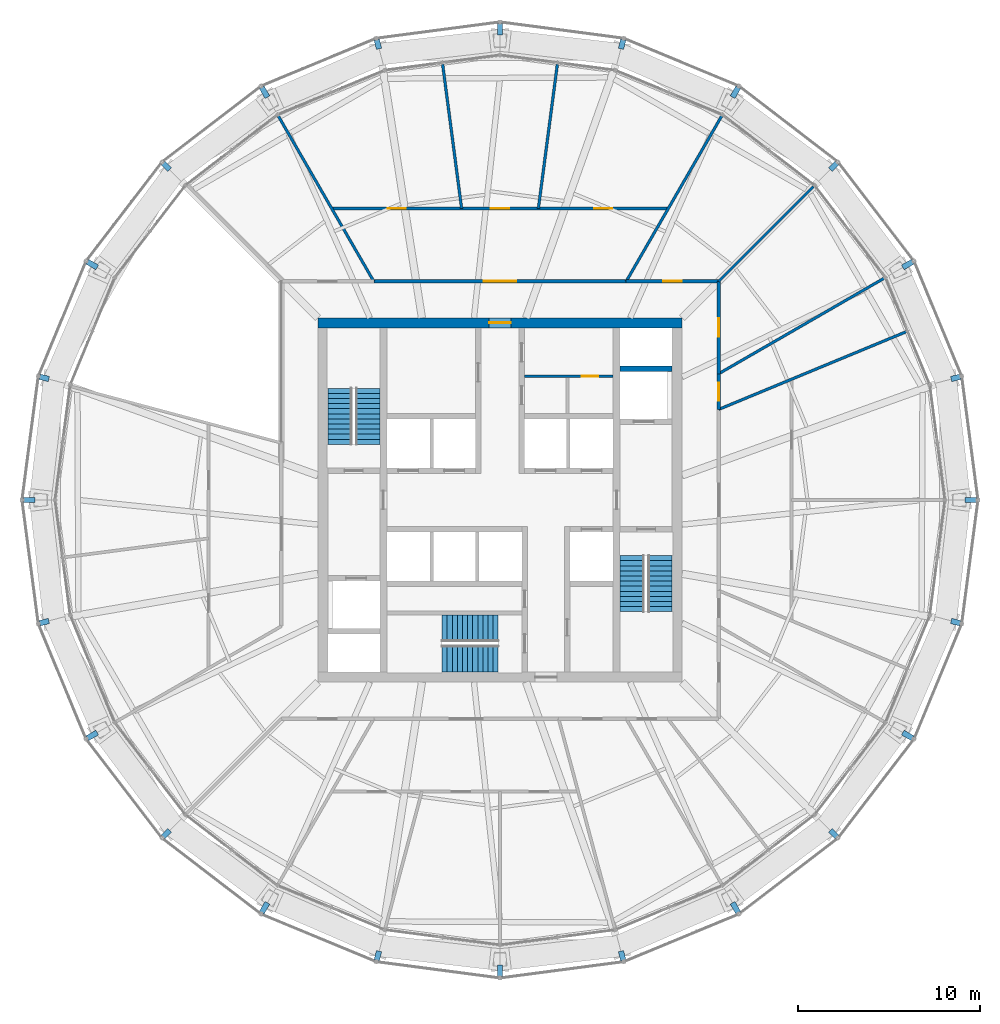
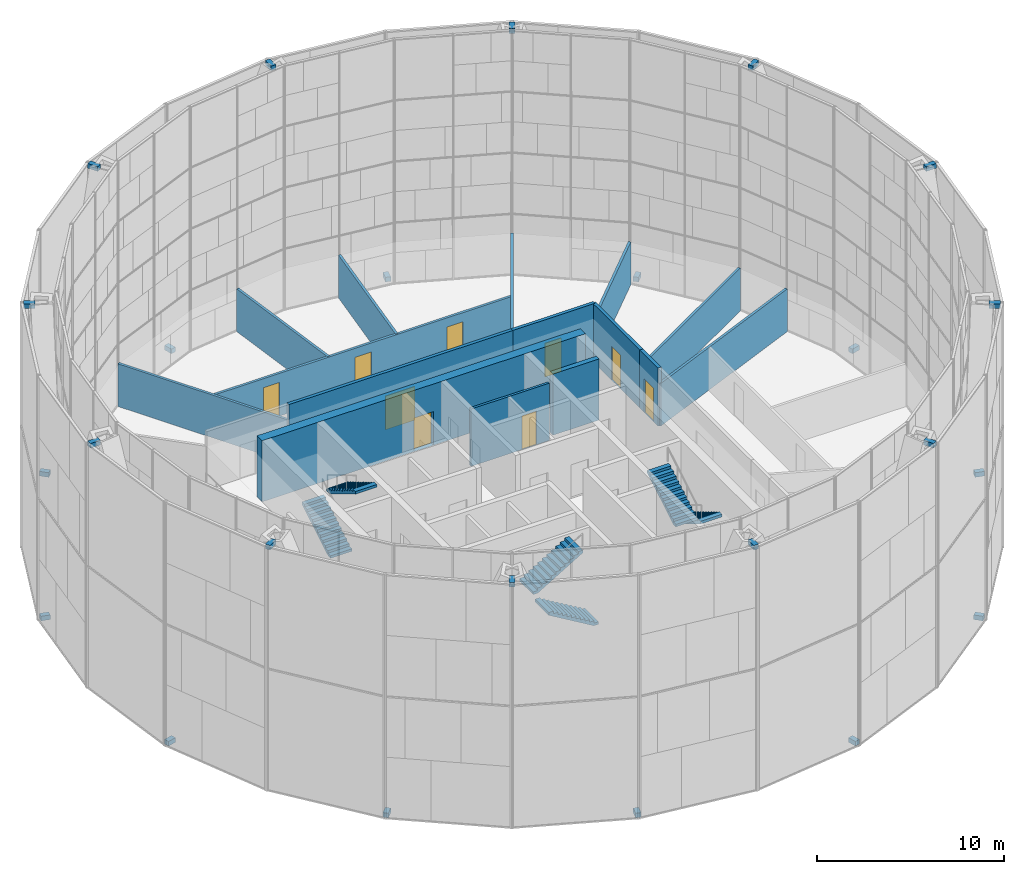
# One storey, part 27 of 28: 24 discrete accessories, 15 walls, 9 doors, 6 stair flights, 9 openings, 3 elements without a shape of their own.
"""IFC4 building model written with IfcOpenShell, lengths in metres."""

from ifc_helpers import new_model, si_unit, direction, frame, frame_2d, origin, origin_2d, place, context, subcontext, project, spatial, polyline, rectangle, outline, extrude, material, layer, layer_set, type_object, element, fill, aggregate, save


model = new_model("IFC4")

# Units and contexts
model_context = context("Model", 3, precision=1e-05, world=origin(), true_north=direction((0.0, 1.0)))
body_context = subcontext(model_context, "Body", "Model", "MODEL_VIEW")
ifc_project = project(units=[si_unit("LENGTHUNIT", "METRE"), si_unit("AREAUNIT", "SQUARE_METRE"), si_unit("VOLUMEUNIT", "CUBIC_METRE"), si_unit("PLANEANGLEUNIT", "RADIAN"), si_unit("MASSUNIT", "GRAM", prefix="KILO")], contexts=[model_context])

# Site, building, storey
site_placement = place(None, origin())
site = spatial("IfcSite", under=ifc_project, at=site_placement, CompositionType="ELEMENT")
building_placement = place(site_placement, origin())
building = spatial("IfcBuilding", under=site, at=building_placement, Name="Golbaran Civic Tower", CompositionType="ELEMENT")
storey_placement = place(building_placement, frame((0.0, 0.0, 134.0)))
storey = spatial("IfcBuildingStorey", under=building, at=storey_placement, Name="L32", CompositionType="ELEMENT", Elevation=134.0)

# Wall, opening, door
ifc_material_1 = material(Name="Concrete block", Category="concrete")
ifc_layer_1 = layer(ifc_material_1, 0.14990234375, Name="Concrete block")
ifc_layer_set_1 = layer_set([ifc_layer_1], Name="Concrete block")
wall_type_1 = type_object("IfcWallType", Name="BLOCKWORK PARTITION 150", PredefinedType="PARTITIONING", material=ifc_layer_set_1)
wall_1_placement = place(storey_placement, frame((1.35009765625, 6.800048828125, 0.0), z_axis=(0.0, 0.0, 1.0), x_axis=(1.0, 0.0, 0.0)))
wall_1 = element("IfcWall", 1, at=wall_1_placement, inside=storey, type_object=wall_type_1, Name="Toilet block partition TN1 L32", PredefinedType="PARTITIONING", context=body_context, shape_type="SweptSolid", body=[
    extrude(rectangle(XDim=4.849853515625, YDim=0.14990234375, at=frame_2d((2.4248046875, 0.0))), origin(), (0.0, 0.0, 1.0), 3.75),
])
opening_1_placement = place(wall_1_placement, frame((3.14990234375, 0.0, 0.0)))
opening_1 = element("IfcOpeningElement", 2, at=opening_1_placement, cuts=wall_1, Name="Opening L32.CLN", PredefinedType="OPENING", context=body_context, shape_type="SweptSolid", body=[
    extrude(rectangle(XDim=0.89990234375, YDim=2.199951171875, at=frame_2d((0.449951171875, 1.10009765625))), frame((0.0, 0.0849609375, 0.0), z_axis=(0.0, -1.0, 0.0), x_axis=(1.0, 0.0, 0.0)), (0.0, 0.0, 1.0), 0.169921875),
])
ifc_material_2 = material(Name="Timber door set in steel frame", Category="steel")
door_type_1 = type_object("IfcDoorType", Name="RISER DOOR 900x2200", OperationType="SINGLE_SWING_LEFT", PredefinedType="DOOR", material=ifc_material_2)
door_1_placement = place(opening_1_placement, origin())
door_1 = element("IfcDoor", 3, at=door_1_placement, inside=storey, type_object=door_type_1, Name="Cleaner's Store door", OperationType="SINGLE_SWING_RIGHT", OverallHeight=2.199951171875, OverallWidth=0.89990234375, PredefinedType="DOOR", context=body_context, shape_type="SweptSolid", body=[
    extrude(rectangle(XDim=0.89990234375, YDim=2.199951171875, at=frame_2d((0.449951171875, 1.10009765625))), frame((0.0, 0.02490234375, 0.0), z_axis=(0.0, -1.0, 0.0), x_axis=(1.0, 0.0, 0.0)), (0.0, 0.0, 1.0), 0.050048828125),
])
fill(opening_1, door_1)

ifc_material_3 = material(Name="Concrete C50/60", Category="concrete")
ifc_layer_2 = layer(ifc_material_3, 0.550048828125, Name="Concrete C50/60")
ifc_layer_set_2 = layer_set([ifc_layer_2], Name="Concrete C50/60")
wall_type_2 = type_object("IfcWallType", Name="CORE WALL CONCRETE 550", PredefinedType="SOLIDWALL", material=ifc_layer_set_2)
wall_2_placement = place(storey_placement, frame((-10.0, 9.72509765625, 0.0), z_axis=(0.0, 0.0, 1.0), x_axis=(1.0, 0.0, 0.0)))
wall_2 = element("IfcWall", 4, at=wall_2_placement, inside=storey, type_object=wall_type_2, Name="Core wall CN L32", PredefinedType="SOLIDWALL", context=body_context, shape_type="SweptSolid", body=[
    extrude(rectangle(XDim=20.0, YDim=0.550048828125, at=frame_2d((10.0, 0.0))), origin(), (0.0, 0.0, 1.0), 4.0),
])
opening_2_placement = place(wall_2_placement, frame((9.39990234375, 0.0, 0.0)))
opening_2 = element("IfcOpeningElement", 5, at=opening_2_placement, cuts=wall_2, Name="Opening L32.CN", PredefinedType="OPENING", context=body_context, shape_type="SweptSolid", body=[
    extrude(rectangle(XDim=1.199951171875, YDim=2.199951171875, at=frame_2d((0.60009765625, 1.10009765625))), frame((0.0, 0.284912109375, 0.0), z_axis=(0.0, -1.0, 0.0), x_axis=(1.0, 0.0, 0.0)), (0.0, 0.0, 1.0), 0.570068359375),
])
door_type_2 = type_object("IfcDoorType", Name="CORE DOOR 1200x2200", OperationType="DOUBLE_DOOR_SINGLE_SWING", PredefinedType="DOOR", material=ifc_material_2)
door_2_placement = place(opening_2_placement, origin())
door_2 = element("IfcDoor", 6, at=door_2_placement, inside=storey, type_object=door_type_2, Name="Core door north", OperationType="DOUBLE_DOOR_SINGLE_SWING", OverallHeight=2.199951171875, OverallWidth=1.199951171875, PredefinedType="DOOR", context=body_context, shape_type="SweptSolid", body=[
    extrude(rectangle(XDim=1.199951171875, YDim=2.199951171875, at=frame_2d((0.60009765625, 1.10009765625))), frame((0.0, 0.02490234375, 0.0), z_axis=(0.0, -1.0, 0.0), x_axis=(1.0, 0.0, 0.0)), (0.0, 0.0, 1.0), 0.050048828125),
])
fill(opening_2, door_2)

ifc_material_4 = material(Name="Gypsum board on steel studs, fire-rated", Category="steel")
ifc_layer_3 = layer(ifc_material_4, 0.199951171875, Name="Gypsum board on steel studs, fire-rated")
ifc_layer_set_3 = layer_set([ifc_layer_3], Name="Gypsum board on steel studs, fire-rated")
wall_type_3 = type_object("IfcWallType", Name="CORRIDOR WALL 200", PredefinedType="PARTITIONING", material=ifc_layer_set_3)
wall_3_placement = place(storey_placement, frame((12.0, 4.970458984375, 0.0), z_axis=(0.0, 0.0, 1.0), x_axis=(0.0, 1.0, 0.0)))
wall_3 = element("IfcWall", 7, at=wall_3_placement, inside=storey, type_object=wall_type_3, Name="Corridor wall L32", PredefinedType="PARTITIONING", context=body_context, shape_type="SweptSolid", body=[
    extrude(rectangle(XDim=1.957763671875, YDim=0.199951171875, at=frame_2d((0.97900390625, 0.0))), origin(), (0.0, 0.0, 1.0), 3.800048828125),
])
opening_3_placement = place(wall_3_placement, frame((0.478759765625, 0.0, 0.0)))
opening_3 = element("IfcOpeningElement", 8, at=opening_3_placement, cuts=wall_3, Name="Opening L32.13", PredefinedType="OPENING", context=body_context, shape_type="SweptSolid", body=[
    extrude(rectangle(XDim=1.0, YDim=2.199951171875, at=frame_2d((0.5, 1.10009765625))), frame((0.0, 0.10986328125, 0.0), z_axis=(0.0, -1.0, 0.0), x_axis=(1.0, 0.0, 0.0)), (0.0, 0.0, 1.0), 0.219970703125),
])
door_type_3 = type_object("IfcDoorType", Name="OFFICE DOOR 1000x2200", OperationType="SINGLE_SWING_LEFT", PredefinedType="DOOR", material=ifc_material_2)
door_3_placement = place(opening_3_placement, origin())
door_3 = element("IfcDoor", 9, at=door_3_placement, inside=storey, type_object=door_type_3, Name="Meeting Room door L32", OperationType="SINGLE_SWING_LEFT", OverallHeight=2.199951171875, OverallWidth=1.0, PredefinedType="DOOR", context=body_context, shape_type="SweptSolid", body=[
    extrude(rectangle(XDim=1.0, YDim=2.199951171875, at=frame_2d((0.5, 1.10009765625))), frame((0.0, 0.02490234375, 0.0), z_axis=(0.0, -1.0, 0.0), x_axis=(1.0, 0.0, 0.0)), (0.0, 0.0, 1.0), 0.050048828125),
])
fill(opening_3, door_3)

wall_4_placement = place(storey_placement, frame((12.0, 6.92822265625, 0.0), z_axis=(0.0, 0.0, 1.0), x_axis=(0.0, 1.0, 0.0)))
wall_4 = element("IfcWall", 10, at=wall_4_placement, inside=storey, type_object=wall_type_3, Name="Corridor wall L32", PredefinedType="PARTITIONING", context=body_context, shape_type="SweptSolid", body=[
    extrude(rectangle(XDim=5.07177734375, YDim=0.199951171875, at=frame_2d((2.535888671875, 0.0))), origin(), (0.0, 0.0, 1.0), 3.800048828125),
])
opening_4_placement = place(wall_4_placement, frame((2.035888671875, 0.0, 0.0)))
opening_4 = element("IfcOpeningElement", 11, at=opening_4_placement, cuts=wall_4, Name="Opening L32.14", PredefinedType="OPENING", context=body_context, shape_type="SweptSolid", body=[
    extrude(rectangle(XDim=1.0, YDim=2.199951171875, at=frame_2d((0.5, 1.10009765625))), frame((0.0, 0.10986328125, 0.0), z_axis=(0.0, -1.0, 0.0), x_axis=(1.0, 0.0, 0.0)), (0.0, 0.0, 1.0), 0.219970703125),
])
door_4_placement = place(opening_4_placement, origin())
door_4 = element("IfcDoor", 12, at=door_4_placement, inside=storey, type_object=door_type_3, Name="Prayer Room door L32", OperationType="SINGLE_SWING_LEFT", OverallHeight=2.199951171875, OverallWidth=1.0, PredefinedType="DOOR", context=body_context, shape_type="SweptSolid", body=[
    extrude(rectangle(XDim=1.0, YDim=2.199951171875, at=frame_2d((0.5, 1.10009765625))), frame((0.0, 0.02490234375, 0.0), z_axis=(0.0, -1.0, 0.0), x_axis=(1.0, 0.0, 0.0)), (0.0, 0.0, 1.0), 0.050048828125),
])
fill(opening_4, door_4)

wall_5_placement = place(storey_placement, frame((12.0, 12.0, 0.0), z_axis=(0.0, 0.0, 1.0), x_axis=(-1.0, 0.0, 0.0)))
wall_5 = element("IfcWall", 13, at=wall_5_placement, inside=storey, type_object=wall_type_3, Name="Corridor wall L32", PredefinedType="PARTITIONING", context=body_context, shape_type="SweptSolid", body=[
    extrude(rectangle(XDim=5.07177734375, YDim=0.199951171875, at=frame_2d((2.535888671875, 0.0))), origin(), (0.0, 0.0, 1.0), 3.800048828125),
])
opening_5_placement = place(wall_5_placement, frame((2.035888671875, 0.0, 0.0)))
opening_5 = element("IfcOpeningElement", 14, at=opening_5_placement, cuts=wall_5, Name="Opening L32.15", PredefinedType="OPENING", context=body_context, shape_type="SweptSolid", body=[
    extrude(rectangle(XDim=1.0, YDim=2.199951171875, at=frame_2d((0.5, 1.10009765625))), frame((0.0, 0.10986328125, 0.0), z_axis=(0.0, -1.0, 0.0), x_axis=(1.0, 0.0, 0.0)), (0.0, 0.0, 1.0), 0.219970703125),
])
door_5_placement = place(opening_5_placement, origin())
door_5 = element("IfcDoor", 15, at=door_5_placement, inside=storey, type_object=door_type_3, Name="Pantry door L32", OperationType="SINGLE_SWING_RIGHT", OverallHeight=2.199951171875, OverallWidth=1.0, PredefinedType="DOOR", context=body_context, shape_type="SweptSolid", body=[
    extrude(rectangle(XDim=1.0, YDim=2.199951171875, at=frame_2d((0.5, 1.10009765625))), frame((0.0, 0.02490234375, 0.0), z_axis=(0.0, -1.0, 0.0), x_axis=(1.0, 0.0, 0.0)), (0.0, 0.0, 1.0), 0.050048828125),
])
fill(opening_5, door_5)

wall_6_placement = place(storey_placement, frame((6.92822265625, 12.0, 0.0), z_axis=(0.0, 0.0, 1.0), x_axis=(-1.0, 0.0, 0.0)))
wall_6 = element("IfcWall", 16, at=wall_6_placement, inside=storey, type_object=wall_type_3, Name="Corridor wall L32", PredefinedType="PARTITIONING", context=body_context, shape_type="SweptSolid", body=[
    extrude(rectangle(XDim=13.8564453125, YDim=0.199951171875, at=frame_2d((6.92822265625, 0.0))), origin(), (0.0, 0.0, 1.0), 3.800048828125),
])
opening_6_placement = place(wall_6_placement, frame((6.0283203125, 0.0, 0.0)))
opening_6 = element("IfcOpeningElement", 17, at=opening_6_placement, cuts=wall_6, Name="Opening L32.16", PredefinedType="OPENING", context=body_context, shape_type="SweptSolid", body=[
    extrude(rectangle(XDim=1.800048828125, YDim=2.199951171875, at=frame_2d((0.89990234375, 1.10009765625))), frame((0.0, 0.10986328125, 0.0), z_axis=(0.0, -1.0, 0.0), x_axis=(1.0, 0.0, 0.0)), (0.0, 0.0, 1.0), 0.219970703125),
])
door_type_4 = type_object("IfcDoorType", Name="OFFICE DOUBLE DOOR 1800x2200", OperationType="DOUBLE_DOOR_SINGLE_SWING", PredefinedType="DOOR", material=ifc_material_2)
door_6_placement = place(opening_6_placement, origin())
door_6 = element("IfcDoor", 18, at=door_6_placement, inside=storey, type_object=door_type_4, Name="Secretariat door L32", OperationType="DOUBLE_DOOR_SINGLE_SWING", OverallHeight=2.199951171875, OverallWidth=1.800048828125, PredefinedType="DOOR", context=body_context, shape_type="SweptSolid", body=[
    extrude(rectangle(XDim=1.800048828125, YDim=2.199951171875, at=frame_2d((0.89990234375, 1.10009765625))), frame((0.0, 0.02490234375, 0.0), z_axis=(0.0, -1.0, 0.0), x_axis=(1.0, 0.0, 0.0)), (0.0, 0.0, 1.0), 0.050048828125),
])
fill(opening_6, door_6)

# Walls
ifc_material_5 = material(Name="Gypsum board on steel studs", Category="steel")
ifc_layer_4 = layer(ifc_material_5, 0.14990234375, Name="Gypsum board on steel studs")
ifc_layer_set_4 = layer_set([ifc_layer_4], Name="Gypsum board on steel studs")
wall_type_4 = type_object("IfcWallType", Name="OFFICE PARTITION 150", PredefinedType="PARTITIONING", material=ifc_layer_set_4)
wall_7_placement = place(storey_placement, frame((12.0, 4.970458984375, 0.0), z_axis=(0.0, 0.0, 1.0), x_axis=(0.923875229549, 0.382693820469, 0.0)))
element("IfcWall", 19, at=wall_7_placement, inside=storey, type_object=wall_type_4, Name="Partition 22.5 L32", PredefinedType="PARTITIONING", context=body_context, shape_type="SweptSolid", body=[
    extrude(rectangle(XDim=11.137451171875, YDim=0.14990234375, at=frame_2d((5.56884765625, 0.0))), origin(), (0.0, 0.0, 1.0), 2.7900390625),
])
wall_8_placement = place(storey_placement, frame((12.0, 6.92822265625, 0.0), z_axis=(0.0, 0.0, 1.0), x_axis=(0.866029212144, 0.49999340367, 0.0)))
element("IfcWall", 20, at=wall_8_placement, inside=storey, type_object=wall_type_4, Name="Partition 30 L32", PredefinedType="PARTITIONING", context=body_context, shape_type="SweptSolid", body=[
    extrude(rectangle(XDim=10.477783203125, YDim=0.14990234375, at=frame_2d((5.23876953125, 0.0))), origin(), (0.0, 0.0, 1.0), 2.7900390625),
])
wall_9_placement = place(storey_placement, frame((12.0, 12.0, 0.0), z_axis=(0.0, 0.0, 1.0), x_axis=(0.707106781187, 0.707106781187, 0.0)))
element("IfcWall", 21, at=wall_9_placement, inside=storey, type_object=wall_type_4, Name="Partition 45 L32", PredefinedType="PARTITIONING", context=body_context, shape_type="SweptSolid", body=[
    extrude(rectangle(XDim=7.363525390625, YDim=0.14990234375, at=frame_2d((3.681640625, 0.0))), origin(), (0.0, 0.0, 1.0), 2.7900390625),
])
for number, where, z_axis, x_axis, name in (
    (22, (6.92822265625, 12.0, 0.0), (0.0, 0.0, 1.0), (0.49999340367, 0.866029212144, 0.0), "Partition 60 L32"),
    (23, (-6.92822265625, 12.0, 0.0), (0.0, 0.0, 1.0), (-0.49999340367, 0.866029212144, 0.0), "Partition 120 L32"),
):
    element("IfcWall", number, at=place(storey_placement, frame(where, z_axis=z_axis, x_axis=x_axis)), inside=storey, type_object=wall_type_4, Name=name, PredefinedType="PARTITIONING", context=body_context, shape_type="SweptSolid", body=[
        extrude(rectangle(XDim=10.477783203125, YDim=0.14990234375, at=frame_2d((5.23876953125, 0.0))), origin(), (0.0, 0.0, 1.0), 2.7900390625),
    ])

# Wall, openings, doors
wall_10_placement = place(storey_placement, frame((9.237548828125, 16.0, 0.0), z_axis=(0.0, 0.0, 1.0), x_axis=(-1.0, 0.0, 0.0)))
wall_10 = element("IfcWall", 24, at=wall_10_placement, inside=storey, type_object=wall_type_4, Name="Suite partition L32", PredefinedType="PARTITIONING", context=body_context, shape_type="SweptSolid", body=[
    extrude(rectangle(XDim=18.47509765625, YDim=0.14990234375, at=frame_2d((9.237548828125, 0.0))), origin(), (0.0, 0.0, 1.0), 2.7900390625),
])
opening_7_placement = place(wall_10_placement, frame((3.065673828125, 0.0, 0.0)))
opening_7 = element("IfcOpeningElement", 25, at=opening_7_placement, cuts=wall_10, Name="Opening L32.03", PredefinedType="OPENING", context=body_context, shape_type="SweptSolid", body=[
    extrude(rectangle(XDim=1.0, YDim=2.199951171875, at=frame_2d((0.5, 1.10009765625))), frame((0.0, 0.0849609375, 0.0), z_axis=(0.0, -1.0, 0.0), x_axis=(1.0, 0.0, 0.0)), (0.0, 0.0, 1.0), 0.169921875),
])
opening_8_placement = place(wall_10_placement, frame((8.737548828125, 0.0, 0.0)))
opening_8 = element("IfcOpeningElement", 26, at=opening_8_placement, cuts=wall_10, Name="Opening L32.04", PredefinedType="OPENING", context=body_context, shape_type="SweptSolid", body=[
    extrude(rectangle(XDim=1.0, YDim=2.199951171875, at=frame_2d((0.5, 1.10009765625))), frame((0.0, 0.0849609375, 0.0), z_axis=(0.0, -1.0, 0.0), x_axis=(1.0, 0.0, 0.0)), (0.0, 0.0, 1.0), 0.169921875),
])
opening_9_placement = place(wall_10_placement, frame((14.40966796875, 0.0, 0.0)))
opening_9 = element("IfcOpeningElement", 27, at=opening_9_placement, cuts=wall_10, Name="Opening L32.05", PredefinedType="OPENING", context=body_context, shape_type="SweptSolid", body=[
    extrude(rectangle(XDim=1.0, YDim=2.199951171875, at=frame_2d((0.5, 1.10009765625))), frame((0.0, 0.0849609375, 0.0), z_axis=(0.0, -1.0, 0.0), x_axis=(1.0, 0.0, 0.0)), (0.0, 0.0, 1.0), 0.169921875),
])
door_7_placement = place(opening_7_placement, origin())
door_7 = element("IfcDoor", 28, at=door_7_placement, inside=storey, type_object=door_type_3, Name="Office door L32", OperationType="SINGLE_SWING_LEFT", OverallHeight=2.199951171875, OverallWidth=1.0, PredefinedType="DOOR", context=body_context, shape_type="SweptSolid", body=[
    extrude(rectangle(XDim=1.0, YDim=2.199951171875, at=frame_2d((0.5, 1.10009765625))), frame((0.0, 0.02490234375, 0.0), z_axis=(0.0, -1.0, 0.0), x_axis=(1.0, 0.0, 0.0)), (0.0, 0.0, 1.0), 0.050048828125),
])
fill(opening_7, door_7)
door_8_placement = place(opening_8_placement, origin())
door_8 = element("IfcDoor", 29, at=door_8_placement, inside=storey, type_object=door_type_3, Name="Office door L32", OperationType="SINGLE_SWING_RIGHT", OverallHeight=2.199951171875, OverallWidth=1.0, PredefinedType="DOOR", context=body_context, shape_type="SweptSolid", body=[
    extrude(rectangle(XDim=1.0, YDim=2.199951171875, at=frame_2d((0.5, 1.10009765625))), frame((0.0, 0.02490234375, 0.0), z_axis=(0.0, -1.0, 0.0), x_axis=(1.0, 0.0, 0.0)), (0.0, 0.0, 1.0), 0.050048828125),
])
fill(opening_8, door_8)
door_9_placement = place(opening_9_placement, origin())
door_9 = element("IfcDoor", 30, at=door_9_placement, inside=storey, type_object=door_type_3, Name="Office door L32", OperationType="SINGLE_SWING_RIGHT", OverallHeight=2.199951171875, OverallWidth=1.0, PredefinedType="DOOR", context=body_context, shape_type="SweptSolid", body=[
    extrude(rectangle(XDim=1.0, YDim=2.199951171875, at=frame_2d((0.5, 1.10009765625))), frame((0.0, 0.02490234375, 0.0), z_axis=(0.0, -1.0, 0.0), x_axis=(1.0, 0.0, 0.0)), (0.0, 0.0, 1.0), 0.050048828125),
])
fill(opening_9, door_9)

# Walls
for number, where, z_axis, x_axis, name in (
    (31, (2.1064453125, 16.0, 0.0), (0.0, 0.0, 1.0), (0.13053594497, 0.991443577351, 0.0), "Partition 82.5 L32"),
    (32, (-2.1064453125, 16.0, 0.0), (0.0, 0.0, 1.0), (-0.13053594497, 0.991443577351, 0.0), "Partition 97.5 L32"),
):
    element("IfcWall", number, at=place(storey_placement, frame(where, z_axis=z_axis, x_axis=x_axis)), inside=storey, type_object=wall_type_4, Name=name, PredefinedType="PARTITIONING", context=body_context, shape_type="SweptSolid", body=[
        extrude(rectangle(XDim=7.988037109375, YDim=0.14990234375, at=frame_2d((3.994140625, 0.0))), origin(), (0.0, 0.0, 1.0), 2.7900390625),
    ])
ifc_layer_5 = layer(ifc_material_3, 0.300048828125, Name="Concrete C50/60")
ifc_layer_set_5 = layer_set([ifc_layer_5], Name="Concrete C50/60")
wall_type_5 = type_object("IfcWallType", Name="SHAFT WALL CONCRETE 300", PredefinedType="SOLIDWALL", material=ifc_layer_set_5)
wall_11_placement = place(storey_placement, frame((6.60009765625, 7.199951171875, 0.0), z_axis=(0.0, 0.0, 1.0), x_axis=(1.0, 0.0, 0.0)))
element("IfcWall", 33, at=wall_11_placement, inside=storey, type_object=wall_type_5, Name="Core wall XE3 L32", PredefinedType="SOLIDWALL", context=body_context, shape_type="SweptSolid", body=[
    extrude(rectangle(XDim=2.849853515625, YDim=0.300048828125, at=frame_2d((1.4248046875, 0.0))), origin(), (0.0, 0.0, 1.0), 4.0),
])

# Stair, stair flights
ifc_material_6 = material(Name="Concrete C35/45", Category="concrete")
stair_type_1 = type_object("IfcStairType", Name="EXIT STAIR 2850 x 7700, 4000 RISE", PredefinedType="HALF_TURN_STAIR", material=ifc_material_6)
stair_1_placement = place(storey_placement, origin())
stair_1 = element("IfcStair", 34, at=stair_1_placement, inside=storey, type_object=stair_type_1, Name="Stair S1 L32", PredefinedType="HALF_TURN_STAIR")
stair_flight_type_1 = type_object("IfcStairFlightType", Name="STAIR FLIGHT 1325 WIDE", PredefinedType="STRAIGHT", material=ifc_material_6)
stair_flight_1_placement = place(storey_placement, frame((-8.78759765625, 3.050048828125, 0.0), z_axis=(0.0, 0.0, 1.0), x_axis=(0.0, 1.0, 0.0)))
stair_flight_1 = element("IfcStairFlight", 35, at=stair_flight_1_placement, type_object=stair_flight_type_1, Name="ST28577-40 flight 1", NumberOfRisers=12, NumberOfTreads=11, PredefinedType="STRAIGHT", RiserHeight=0.166666667, TreadLength=0.28, context=body_context, shape_type="SweptSolid", body=[
    extrude(outline(polyline([(0.0, 0.0), (0.0, 0.166748046875), (0.280029296875, 0.166748046875), (0.280029296875, 0.333251953125), (0.56005859375, 0.333251953125), (0.56005859375, 0.5), (0.840087890625, 0.5), (0.840087890625, 0.666748046875), (1.1201171875, 0.666748046875), (1.1201171875, 0.833251953125), (1.39990234375, 0.833251953125), (1.39990234375, 1.0), (1.679931640625, 1.0), (1.679931640625, 1.166748046875), (1.9599609375, 1.166748046875), (1.9599609375, 1.333251953125), (2.239990234375, 1.333251953125), (2.239990234375, 1.5), (2.52001953125, 1.5), (2.52001953125, 1.666748046875), (2.800048828125, 1.666748046875), (2.800048828125, 1.833251953125), (3.080078125, 1.833251953125), (3.080078125, 2.0), (3.080078125, 1.658935546875), (0.29296875, 0.0), (0.0, 0.0)])), frame((0.0, 0.66259765625, 0.0), z_axis=(0.0, -1.0, 0.0), x_axis=(1.0, 0.0, 0.0)), (0.0, 0.0, 1.0), 1.324951171875),
])
stair_flight_2_placement = place(storey_placement, frame((-7.262451171875, 6.1298828125, 2.0), z_axis=(0.0, 0.0, 1.0), x_axis=(0.0, -1.0, 0.0)))
stair_flight_2 = element("IfcStairFlight", 36, at=stair_flight_2_placement, type_object=stair_flight_type_1, Name="ST28577-40 flight 2", NumberOfRisers=12, NumberOfTreads=11, PredefinedType="STRAIGHT", RiserHeight=0.166666667, TreadLength=0.28, context=body_context, shape_type="SweptSolid", body=[
    extrude(outline(polyline([(0.0, 0.0), (0.0, 0.166748046875), (0.280029296875, 0.166748046875), (0.280029296875, 0.333251953125), (0.56005859375, 0.333251953125), (0.56005859375, 0.5), (0.840087890625, 0.5), (0.840087890625, 0.666748046875), (1.1201171875, 0.666748046875), (1.1201171875, 0.833251953125), (1.39990234375, 0.833251953125), (1.39990234375, 1.0), (1.679931640625, 1.0), (1.679931640625, 1.166748046875), (1.9599609375, 1.166748046875), (1.9599609375, 1.333251953125), (2.239990234375, 1.333251953125), (2.239990234375, 1.5), (2.52001953125, 1.5), (2.52001953125, 1.666748046875), (2.800048828125, 1.666748046875), (2.800048828125, 1.833251953125), (3.080078125, 1.833251953125), (3.080078125, 2.0), (3.080078125, 1.658935546875), (0.29296875, 0.0), (0.0, 0.0)])), frame((0.0, 0.66259765625, 0.0), z_axis=(0.0, -1.0, 0.0), x_axis=(1.0, 0.0, 0.0)), (0.0, 0.0, 1.0), 1.324951171875),
])
aggregate(stair_1, [stair_flight_1, stair_flight_2])

stair_2_placement = place(storey_placement, origin())
stair_2 = element("IfcStair", 37, at=stair_2_placement, inside=storey, type_object=stair_type_1, Name="Stair S2 L32", PredefinedType="HALF_TURN_STAIR")
stair_flight_3_placement = place(storey_placement, frame((8.78759765625, -3.050048828125, 0.0), z_axis=(0.0, 0.0, 1.0), x_axis=(0.0, -1.0, 0.0)))
stair_flight_3 = element("IfcStairFlight", 38, at=stair_flight_3_placement, type_object=stair_flight_type_1, Name="ST28577-40 flight 1", NumberOfRisers=12, NumberOfTreads=11, PredefinedType="STRAIGHT", RiserHeight=0.166666667, TreadLength=0.28, context=body_context, shape_type="SweptSolid", body=[
    extrude(outline(polyline([(0.0, 0.0), (0.0, 0.166748046875), (0.280029296875, 0.166748046875), (0.280029296875, 0.333251953125), (0.56005859375, 0.333251953125), (0.56005859375, 0.5), (0.840087890625, 0.5), (0.840087890625, 0.666748046875), (1.1201171875, 0.666748046875), (1.1201171875, 0.833251953125), (1.39990234375, 0.833251953125), (1.39990234375, 1.0), (1.679931640625, 1.0), (1.679931640625, 1.166748046875), (1.9599609375, 1.166748046875), (1.9599609375, 1.333251953125), (2.239990234375, 1.333251953125), (2.239990234375, 1.5), (2.52001953125, 1.5), (2.52001953125, 1.666748046875), (2.800048828125, 1.666748046875), (2.800048828125, 1.833251953125), (3.080078125, 1.833251953125), (3.080078125, 2.0), (3.080078125, 1.658935546875), (0.29296875, 0.0), (0.0, 0.0)])), frame((0.0, 0.66259765625, 0.0), z_axis=(0.0, -1.0, 0.0), x_axis=(1.0, 0.0, 0.0)), (0.0, 0.0, 1.0), 1.324951171875),
])
stair_flight_4_placement = place(storey_placement, frame((7.262451171875, -6.1298828125, 2.0), z_axis=(0.0, 0.0, 1.0), x_axis=(0.0, 1.0, 0.0)))
stair_flight_4 = element("IfcStairFlight", 39, at=stair_flight_4_placement, type_object=stair_flight_type_1, Name="ST28577-40 flight 2", NumberOfRisers=12, NumberOfTreads=11, PredefinedType="STRAIGHT", RiserHeight=0.166666667, TreadLength=0.28, context=body_context, shape_type="SweptSolid", body=[
    extrude(outline(polyline([(0.0, 0.0), (0.0, 0.166748046875), (0.280029296875, 0.166748046875), (0.280029296875, 0.333251953125), (0.56005859375, 0.333251953125), (0.56005859375, 0.5), (0.840087890625, 0.5), (0.840087890625, 0.666748046875), (1.1201171875, 0.666748046875), (1.1201171875, 0.833251953125), (1.39990234375, 0.833251953125), (1.39990234375, 1.0), (1.679931640625, 1.0), (1.679931640625, 1.166748046875), (1.9599609375, 1.166748046875), (1.9599609375, 1.333251953125), (2.239990234375, 1.333251953125), (2.239990234375, 1.5), (2.52001953125, 1.5), (2.52001953125, 1.666748046875), (2.800048828125, 1.666748046875), (2.800048828125, 1.833251953125), (3.080078125, 1.833251953125), (3.080078125, 2.0), (3.080078125, 1.658935546875), (0.29296875, 0.0), (0.0, 0.0)])), frame((0.0, 0.66259765625, 0.0), z_axis=(0.0, -1.0, 0.0), x_axis=(1.0, 0.0, 0.0)), (0.0, 0.0, 1.0), 1.324951171875),
])
aggregate(stair_2, [stair_flight_3, stair_flight_4])

stair_type_2 = type_object("IfcStairType", Name="EXIT STAIR 3150 x 7400, 4000 RISE", PredefinedType="HALF_TURN_STAIR", material=ifc_material_6)
stair_3_placement = place(storey_placement, origin())
stair_3 = element("IfcStair", 40, at=stair_3_placement, inside=storey, type_object=stair_type_2, Name="Stair S3 L32", PredefinedType="HALF_TURN_STAIR")
stair_flight_type_2 = type_object("IfcStairFlightType", Name="STAIR FLIGHT 1475 WIDE", PredefinedType="STRAIGHT", material=ifc_material_6)
stair_flight_5_placement = place(storey_placement, frame((-0.10009765625, -8.71240234375, 0.0), z_axis=(0.0, 0.0, 1.0), x_axis=(-1.0, 0.0, 0.0)))
stair_flight_5 = element("IfcStairFlight", 41, at=stair_flight_5_placement, type_object=stair_flight_type_2, Name="ST31574-40 flight 1", NumberOfRisers=12, NumberOfTreads=11, PredefinedType="STRAIGHT", RiserHeight=0.166666667, TreadLength=0.28, context=body_context, shape_type="SweptSolid", body=[
    extrude(outline(polyline([(0.0, 0.0), (0.0, 0.166748046875), (0.280029296875, 0.166748046875), (0.280029296875, 0.333251953125), (0.56005859375, 0.333251953125), (0.56005859375, 0.5), (0.840087890625, 0.5), (0.840087890625, 0.666748046875), (1.1201171875, 0.666748046875), (1.1201171875, 0.833251953125), (1.39990234375, 0.833251953125), (1.39990234375, 1.0), (1.679931640625, 1.0), (1.679931640625, 1.166748046875), (1.9599609375, 1.166748046875), (1.9599609375, 1.333251953125), (2.239990234375, 1.333251953125), (2.239990234375, 1.5), (2.52001953125, 1.5), (2.52001953125, 1.666748046875), (2.800048828125, 1.666748046875), (2.800048828125, 1.833251953125), (3.080078125, 1.833251953125), (3.080078125, 2.0), (3.080078125, 1.658935546875), (0.29296875, 0.0), (0.0, 0.0)])), frame((0.0, 0.737548828125, 0.0), z_axis=(0.0, -1.0, 0.0), x_axis=(1.0, 0.0, 0.0)), (0.0, 0.0, 1.0), 1.47509765625),
])
stair_flight_6_placement = place(storey_placement, frame((-3.179931640625, -7.03759765625, 2.0), z_axis=(0.0, 0.0, 1.0), x_axis=(1.0, 0.0, 0.0)))
stair_flight_6 = element("IfcStairFlight", 42, at=stair_flight_6_placement, type_object=stair_flight_type_2, Name="ST31574-40 flight 2", NumberOfRisers=12, NumberOfTreads=11, PredefinedType="STRAIGHT", RiserHeight=0.166666667, TreadLength=0.28, context=body_context, shape_type="SweptSolid", body=[
    extrude(outline(polyline([(0.0, 0.0), (0.0, 0.166748046875), (0.280029296875, 0.166748046875), (0.280029296875, 0.333251953125), (0.56005859375, 0.333251953125), (0.56005859375, 0.5), (0.840087890625, 0.5), (0.840087890625, 0.666748046875), (1.1201171875, 0.666748046875), (1.1201171875, 0.833251953125), (1.39990234375, 0.833251953125), (1.39990234375, 1.0), (1.679931640625, 1.0), (1.679931640625, 1.166748046875), (1.9599609375, 1.166748046875), (1.9599609375, 1.333251953125), (2.239990234375, 1.333251953125), (2.239990234375, 1.5), (2.52001953125, 1.5), (2.52001953125, 1.666748046875), (2.800048828125, 1.666748046875), (2.800048828125, 1.833251953125), (3.080078125, 1.833251953125), (3.080078125, 2.0), (3.080078125, 1.658935546875), (0.29296875, 0.0), (0.0, 0.0)])), frame((0.0, 0.737548828125, 0.0), z_axis=(0.0, -1.0, 0.0), x_axis=(1.0, 0.0, 0.0)), (0.0, 0.0, 1.0), 1.47509765625),
])
aggregate(stair_3, [stair_flight_5, stair_flight_6])

# Discrete accessories
ifc_material_7 = material(Name="Steel S355", Category="steel")
discrete_accessory_type = type_object("IfcDiscreteAccessoryType", Name="OUTER SKIN BRACKET", PredefinedType="BRACKET", material=ifc_material_7)
for number, where, z_axis, x_axis, name in (
    (43, (25.017578125, 6.703369140625, -0.7099609375), (0.0, 0.0, 1.0), (0.965925826289, 0.258819045103, 0.0), "Outer skin bracket L32 node 1"),
    (44, (18.31396484375, 18.31396484375, -0.7099609375), (0.0, 0.0, 1.0), (0.707106781187, 0.707106781187, 0.0), "Outer skin bracket L32 node 2"),
    (45, (6.703369140625, 25.017578125, -0.7099609375), (0.0, 0.0, 1.0), (0.258819045103, 0.965925826289, 0.0), "Outer skin bracket L32 node 3"),
    (46, (-6.703369140625, 25.017578125, -0.7099609375), (0.0, 0.0, 1.0), (-0.258819045103, 0.965925826289, 0.0), "Outer skin bracket L32 node 4"),
    (47, (-18.31396484375, 18.31396484375, -0.7099609375), (0.0, 0.0, 1.0), (-0.707106781187, 0.707106781187, 0.0), "Outer skin bracket L32 node 5"),
    (48, (-25.017578125, 6.703369140625, -0.7099609375), (0.0, 0.0, 1.0), (-0.965925826289, 0.258819045103, 0.0), "Outer skin bracket L32 node 6"),
    (49, (-25.017578125, -6.703369140625, -0.7099609375), (0.0, 0.0, 1.0), (-0.965925826289, -0.258819045103, 0.0), "Outer skin bracket L32 node 7"),
    (50, (-18.31396484375, -18.31396484375, -0.7099609375), (0.0, 0.0, 1.0), (-0.707106781187, -0.707106781187, 0.0), "Outer skin bracket L32 node 8"),
    (51, (-6.703369140625, -25.017578125, -0.7099609375), (0.0, 0.0, 1.0), (-0.258819045103, -0.965925826289, 0.0), "Outer skin bracket L32 node 9"),
    (52, (6.703369140625, -25.017578125, -0.7099609375), (0.0, 0.0, 1.0), (0.258819045103, -0.965925826289, 0.0), "Outer skin bracket L32 node 10"),
    (53, (18.31396484375, -18.31396484375, -0.7099609375), (0.0, 0.0, 1.0), (0.707106781187, -0.707106781187, 0.0), "Outer skin bracket L32 node 11"),
    (54, (25.017578125, -6.703369140625, -0.7099609375), (0.0, 0.0, 1.0), (0.965925826289, -0.258819045103, 0.0), "Outer skin bracket L32 node 12"),
):
    element("IfcDiscreteAccessory", number, at=place(storey_placement, frame(where, z_axis=z_axis, x_axis=x_axis)), inside=storey, type_object=discrete_accessory_type, Name=name, PredefinedType="BRACKET", context=body_context, shape_type="SweptSolid", body=[
        extrude(rectangle(XDim=0.52001953125, YDim=0.300048828125, at=origin_2d()), origin(), (0.0, 0.0, 1.0), 0.300048828125),
    ])
for number, where, z_axis, x_axis, name in (
    (55, (25.846923828125, 0.0, 14.98974609375), (0.0, 0.0, 1.0), (1.0, 0.0, 0.0), "Outer skin head bracket L32 node 1"),
    (56, (22.38427734375, 12.923583984375, 14.98974609375), (0.0, 0.0, 1.0), (0.866025403784, 0.5, 0.0), "Outer skin head bracket L32 node 2"),
    (57, (12.923583984375, 22.38427734375, 14.98974609375), (0.0, 0.0, 1.0), (0.5, 0.866025403784, 0.0), "Outer skin head bracket L32 node 3"),
    (58, (0.0, 25.846923828125, 14.98974609375), (0.0, 0.0, 1.0), (0.0, 1.0, 0.0), "Outer skin head bracket L32 node 4"),
    (59, (-12.923583984375, 22.38427734375, 14.98974609375), (0.0, 0.0, 1.0), (-0.5, 0.866025403784, 0.0), "Outer skin head bracket L32 node 5"),
    (60, (-22.38427734375, 12.923583984375, 14.98974609375), (0.0, 0.0, 1.0), (-0.866025403784, 0.5, 0.0), "Outer skin head bracket L32 node 6"),
    (61, (-25.846923828125, 0.0, 14.98974609375), (0.0, 0.0, 1.0), (-1.0, 0.0, 0.0), "Outer skin head bracket L32 node 7"),
    (62, (-22.38427734375, -12.923583984375, 14.98974609375), (0.0, 0.0, 1.0), (-0.866025403784, -0.5, 0.0), "Outer skin head bracket L32 node 8"),
    (63, (-12.923583984375, -22.38427734375, 14.98974609375), (0.0, 0.0, 1.0), (-0.5, -0.866025403784, 0.0), "Outer skin head bracket L32 node 9"),
    (64, (0.0, -25.846923828125, 14.98974609375), (0.0, 0.0, 1.0), (0.0, -1.0, 0.0), "Outer skin head bracket L32 node 10"),
    (65, (12.923583984375, -22.38427734375, 14.98974609375), (0.0, 0.0, 1.0), (0.5, -0.866025403784, 0.0), "Outer skin head bracket L32 node 11"),
    (66, (22.38427734375, -12.923583984375, 14.98974609375), (0.0, 0.0, 1.0), (0.866025403784, -0.5, 0.0), "Outer skin head bracket L32 node 12"),
):
    element("IfcDiscreteAccessory", number, at=place(storey_placement, frame(where, z_axis=z_axis, x_axis=x_axis)), inside=storey, type_object=discrete_accessory_type, Name=name, PredefinedType="BRACKET", context=body_context, shape_type="SweptSolid", body=[
        extrude(rectangle(XDim=0.6259765625, YDim=0.300048828125, at=origin_2d()), origin(), (0.0, 0.0, 1.0), 0.300048828125),
    ])

save(model, "model.ifc")
